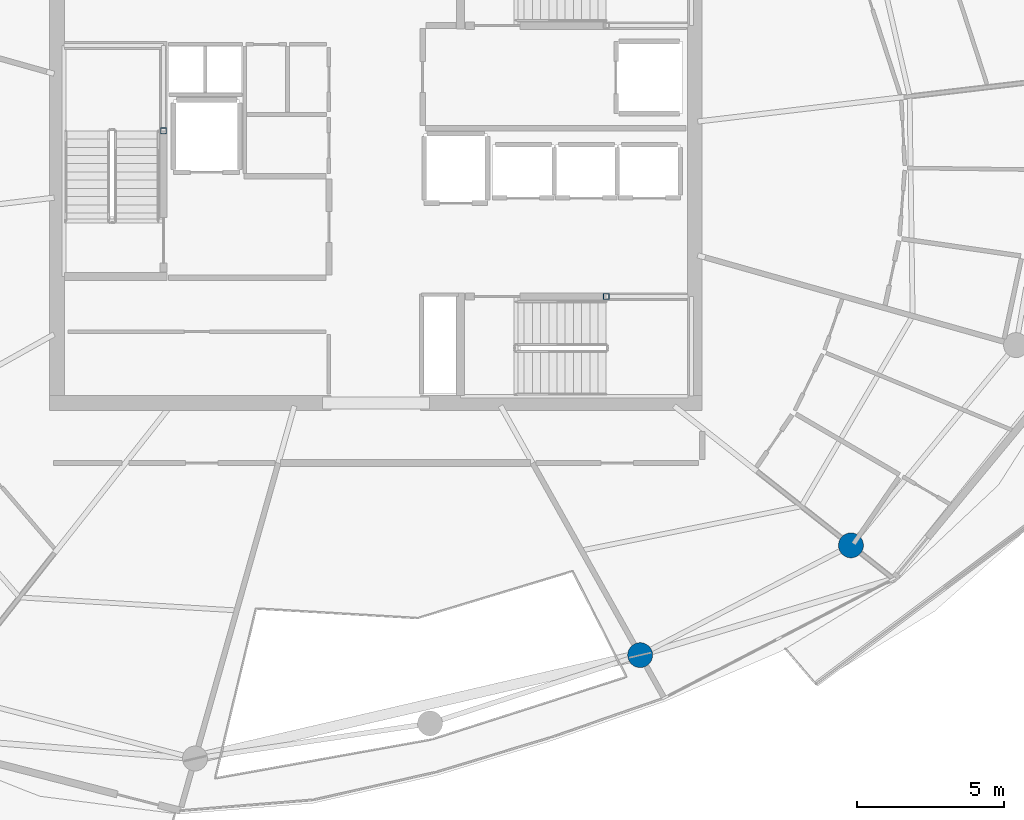
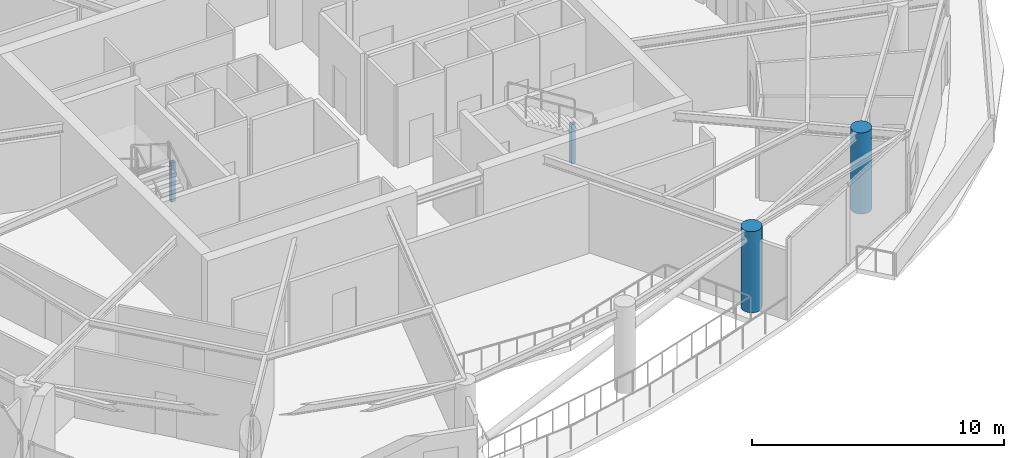
# One storey, part 2 of 22: 4 columns.
"""IFC4 building model written with IfcOpenShell, lengths in metres."""

from ifc_helpers import new_model, si_unit, direction, frame, origin, origin_2d, place, context, subcontext, project, spatial, hollow_rectangle, circle, extrude, material, material_profile, profile_set, type_object, element, save


model = new_model("IFC4")

# Units and contexts
model_context = context("Model", 3, precision=1e-05, world=origin(), true_north=direction((0.0, 1.0)))
body_context = subcontext(model_context, "Body", "Model", "MODEL_VIEW")
ifc_project = project(units=[si_unit("LENGTHUNIT", "METRE"), si_unit("AREAUNIT", "SQUARE_METRE"), si_unit("VOLUMEUNIT", "CUBIC_METRE"), si_unit("PLANEANGLEUNIT", "RADIAN"), si_unit("MASSUNIT", "GRAM", prefix="KILO")], contexts=[model_context])

# Site, building, storey
site_placement = place(None, origin())
site = spatial("IfcSite", under=ifc_project, at=site_placement, CompositionType="ELEMENT")
building_placement = place(site_placement, origin())
building = spatial("IfcBuilding", under=site, at=building_placement, Name="Kazma Halo Residences", CompositionType="ELEMENT")
storey_placement = place(building_placement, frame((0.0, 0.0, 334.699951171875)))
storey = spatial("IfcBuildingStorey", under=building, at=storey_placement, Name="L84", CompositionType="ELEMENT", Elevation=334.699951171875)

# Columns
ifc_material_1 = material(Name="Steel S355", Category="steel")
ifc_material_profile_1 = material_profile(ifc_material_1, hollow_rectangle(XDim=0.199951171875, YDim=0.199951171875, WallThickness=0.010009765625, InnerFilletRadius=0.010009765625, OuterFilletRadius=0.02001953125, at=origin_2d()), Name="SHS200x200x10")
ifc_profile_set_1 = profile_set([ifc_material_profile_1], Name="Steel S355")
column_type_1 = type_object("IfcColumnType", Name="COL-LP-SHS200", PredefinedType="COLUMN", material=ifc_profile_set_1)
for number, where, z_axis, x_axis, name in (
    (1, (41.179931640625, 43.030029296875, 0.0), (0.0, 0.0, 1.0), (1.0, 0.0, 0.0), "L84 ST-01 landing pilaster 1"),
    (2, (56.280029296875, 37.3798828125, 0.0), (0.0, 0.0, 1.0), (1.0, 0.0, 0.0), "L84 ST-03 landing pilaster 1"),
):
    element("IfcColumn", number, at=place(storey_placement, frame(where, z_axis=z_axis, x_axis=x_axis)), inside=storey, type_object=column_type_1, Name=name, PredefinedType="COLUMN", context=body_context, shape_type="SweptSolid", body=[
        extrude(hollow_rectangle(XDim=0.199951171875, YDim=0.199951171875, WallThickness=0.010009765625, InnerFilletRadius=0.010009765625, OuterFilletRadius=0.02001953125, at=origin_2d()), origin(), (0.0, 0.0, 1.0), 1.89501953125),
    ])
ifc_material_2 = material(Name="Concrete C60/75", Category="concrete")
ifc_material_profile_2 = material_profile(ifc_material_2, circle(Radius=0.425048828125, at=origin_2d()), Name="CIRC850")
ifc_profile_set_2 = profile_set([ifc_material_profile_2], Name="Concrete C60/75")
column_type_2 = type_object("IfcColumnType", Name="COL-PERIM-850", PredefinedType="COLUMN", material=ifc_profile_set_2)
for number, where, z_axis, x_axis, name in (
    (3, (57.436767578125, 25.1494140625, 0.0), (0.0, 0.0, 1.0), (1.0, 0.0, 0.0), "L84 perimeter ring column P13"),
    (4, (64.626220703125, 28.89306640625, 0.0), (0.0, 0.0, 1.0), (1.0, 0.0, 0.0), "L84 perimeter ring column P14"),
):
    element("IfcColumn", number, at=place(storey_placement, frame(where, z_axis=z_axis, x_axis=x_axis)), inside=storey, type_object=column_type_2, Name=name, PredefinedType="COLUMN", context=body_context, shape_type="SweptSolid", body=[
        extrude(circle(Radius=0.425048828125, at=origin_2d()), origin(), (0.0, 0.0, 1.0), 3.93994140625),
    ])

save(model, "model.ifc")
